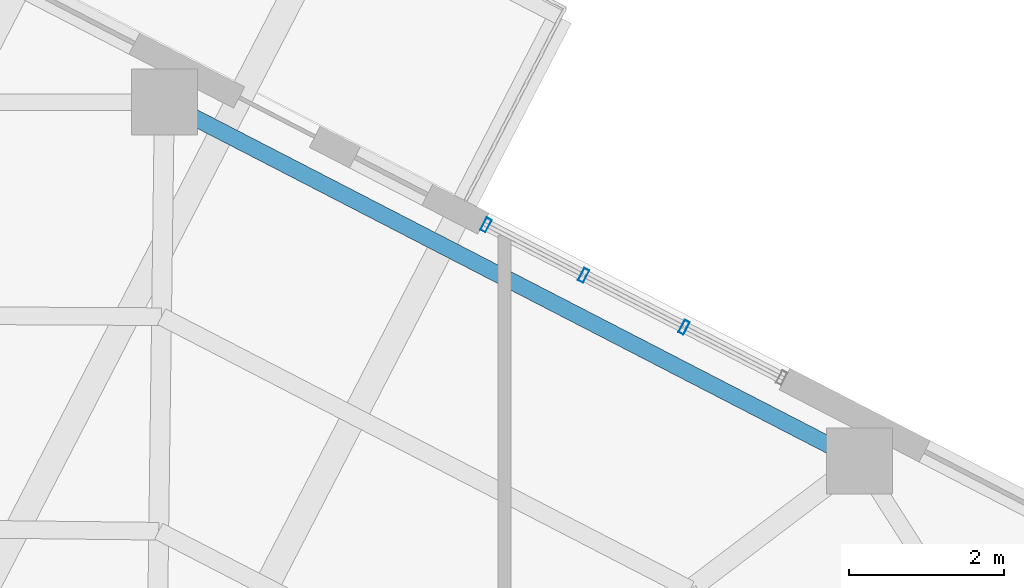
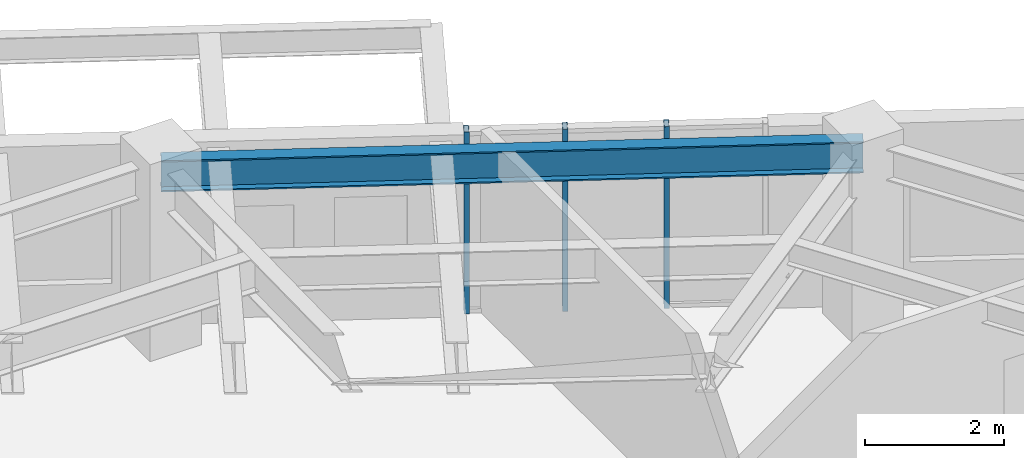
# One storey, part 3 of 12: 3 members, 1 beam, 1 element without a shape of its own.
"""IFC4 building model written with IfcOpenShell, lengths in metres."""

from ifc_helpers import new_model, si_unit, direction, frame, origin, origin_2d, place, context, subcontext, project, spatial, hollow_rectangle, i_section, extrude, material, layer, layer_set, material_profile, profile_set, type_object, element, aggregate, save


model = new_model("IFC4")

# Units and contexts
model_context = context("Model", 3, precision=1e-05, world=origin(), true_north=direction((0.0, 1.0)))
body_context = subcontext(model_context, "Body", "Model", "MODEL_VIEW")
ifc_project = project(units=[si_unit("LENGTHUNIT", "METRE"), si_unit("AREAUNIT", "SQUARE_METRE"), si_unit("VOLUMEUNIT", "CUBIC_METRE"), si_unit("PLANEANGLEUNIT", "RADIAN"), si_unit("MASSUNIT", "GRAM", prefix="KILO"), si_unit("THERMODYNAMICTEMPERATUREUNIT", "KELVIN"), si_unit("POWERUNIT", "WATT")], contexts=[model_context])

# Site, building, storey
site_placement = place(None, origin())
site = spatial("IfcSite", under=ifc_project, at=site_placement, CompositionType="ELEMENT")
building_placement = place(site_placement, origin())
building = spatial("IfcBuilding", under=site, at=building_placement, Name="Skarre Station Tower", CompositionType="ELEMENT")
storey_placement = place(building_placement, frame((0.0, 0.0, 163.64990234375)))
storey = spatial("IfcBuildingStorey", under=building, at=storey_placement, Name="L44", CompositionType="ELEMENT", Elevation=163.64990234375)

# Curtain wall, members
ifc_material_1 = material(Name="Thermally Broken Bronze-Anodized Aluminium & Triple Low-E Glass", Category="aluminium")
ifc_layer = layer(ifc_material_1, 0.18994140625, Name="Thermally Broken Bronze-Anodized Aluminium & Triple Low-E Glass")
ifc_layer_set = layer_set([ifc_layer], Name="Thermally Broken Bronze-Anodized Aluminium & Triple Low-E Glass")
curtain_wall_type = type_object("IfcCurtainWallType", Name="Sky-Garden Setback Conservatory Curtain Wall", PredefinedType="NOTDEFINED", material=ifc_layer_set)
curtain_wall_placement = place(storey_placement, origin())
curtain_wall = element("IfcCurtainWall", 1, at=curtain_wall_placement, inside=storey, type_object=curtain_wall_type, Name="L44 Facet 0 Conservatory Curtain Wall", PredefinedType="NOTDEFINED")
ifc_material_2 = material(Name="Anodized Aluminium 6063-T6", Category="aluminium")
ifc_material_profile_1 = material_profile(ifc_material_2, hollow_rectangle(XDim=0.074951171875, YDim=0.179931640625, WallThickness=0.00390625, at=origin_2d()), Name="Anodized Aluminium 6063-T6")
ifc_profile_set_1 = profile_set([ifc_material_profile_1], Name="Anodized Aluminium 6063-T6")
member_type = type_object("IfcMemberType", Name="Curtain-Wall Unitised Tower Mullion 180x75", PredefinedType="MULLION", material=ifc_profile_set_1)
member_1_placement = place(storey_placement, frame((43.7529296875, 39.302978515625, 0.0), z_axis=(0.0, 0.0, 1.0), x_axis=(0.888593216602, -0.458696081745, 0.0)))
member_1 = element("IfcMember", 2, at=member_1_placement, type_object=member_type, Name="L44 Facet 0 Conservatory Curtain Wall Mullion 1", PredefinedType="MULLION", context=body_context, shape_type="SweptSolid", body=[
    extrude(hollow_rectangle(XDim=0.074951171875, YDim=0.179931640625, WallThickness=0.00390625, at=origin_2d()), origin(), (0.0, 0.0, 1.0), 3.190185546875),
])
member_2_placement = place(storey_placement, frame((45.012939453125, 38.652099609375, 0.0), z_axis=(0.0, 0.0, 1.0), x_axis=(0.888593216602, -0.458696081745, 0.0)))
member_2 = element("IfcMember", 3, at=member_2_placement, type_object=member_type, Name="L44 Facet 0 Conservatory Curtain Wall Mullion 2", PredefinedType="MULLION", context=body_context, shape_type="SweptSolid", body=[
    extrude(hollow_rectangle(XDim=0.074951171875, YDim=0.179931640625, WallThickness=0.00390625, at=origin_2d()), origin(), (0.0, 0.0, 1.0), 3.190185546875),
])
member_3_placement = place(storey_placement, frame((46.30908203125, 37.98291015625, 0.0), z_axis=(0.0, 0.0, 1.0), x_axis=(0.888593216602, -0.458696081745, 0.0)))
member_3 = element("IfcMember", 4, at=member_3_placement, type_object=member_type, Name="L44 Facet 0 Conservatory Curtain Wall Mullion 3", PredefinedType="MULLION", context=body_context, shape_type="SweptSolid", body=[
    extrude(hollow_rectangle(XDim=0.074951171875, YDim=0.179931640625, WallThickness=0.00390625, at=origin_2d()), origin(), (0.0, 0.0, 1.0), 3.190185546875),
])
aggregate(curtain_wall, [member_1, member_2, member_3])

# Beam
ifc_material_3 = material(Name="Steel ASTM A992 Grade 50", Category="steel")
ifc_material_profile_2 = material_profile(ifc_material_3, i_section(OverallWidth=0.214111328125, OverallDepth=0.549072265625, WebThickness=0.014892578125, FlangeThickness=0.02392578125, at=origin_2d()), Name="Steel ASTM A992 Grade 50")
ifc_profile_set_2 = profile_set([ifc_material_profile_2], Name="Steel ASTM A992 Grade 50")
beam_type = type_object("IfcBeamType", Name="Steel Spandrel W21X93", PredefinedType="SPANDREL", material=ifc_profile_set_2)
beam_placement = place(storey_placement, frame((48.573974609375, 36.257080078125, 2.916015625), z_axis=(-0.888613027226, 0.458657702262, 0.0), x_axis=(-0.458657702262, -0.888613027226, 0.0)))
element("IfcBeam", 5, at=beam_placement, inside=storey, type_object=beam_type, Name="L44 Facet Spandrel Beam 1", PredefinedType="SPANDREL", context=body_context, shape_type="SweptSolid", body=[
    extrude(i_section(OverallWidth=0.214111328125, OverallDepth=0.549072265625, WebThickness=0.014892578125, FlangeThickness=0.02392578125, at=origin_2d()), origin(), (0.0, 0.0, 1.0), 10.096435546875),
])

save(model, "model.ifc")
